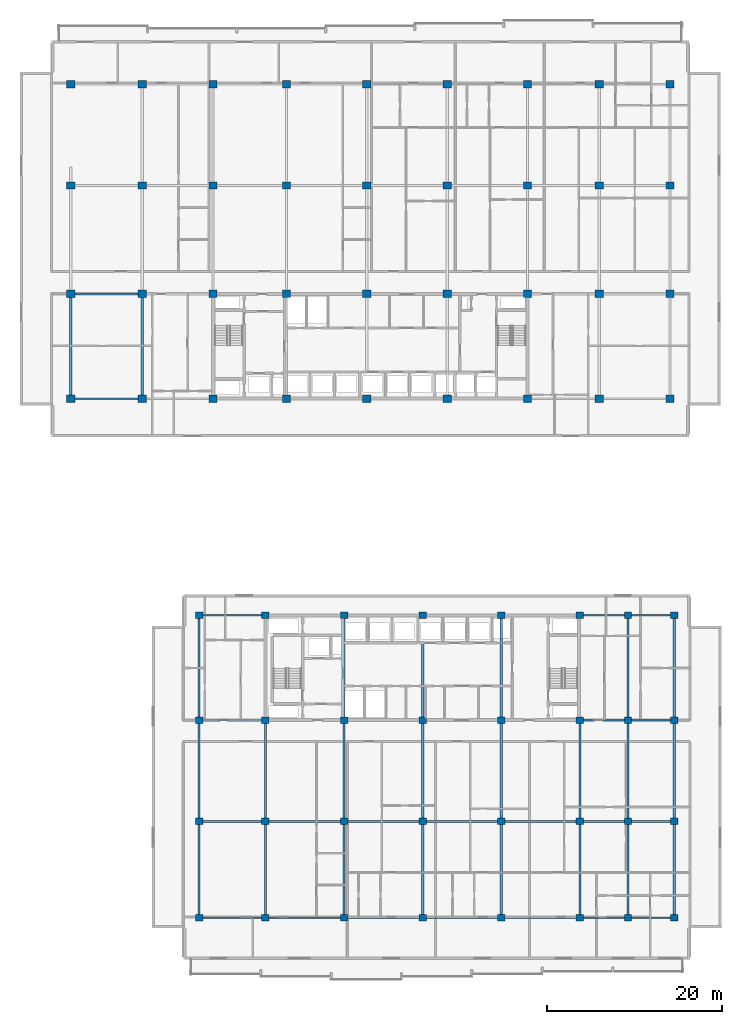
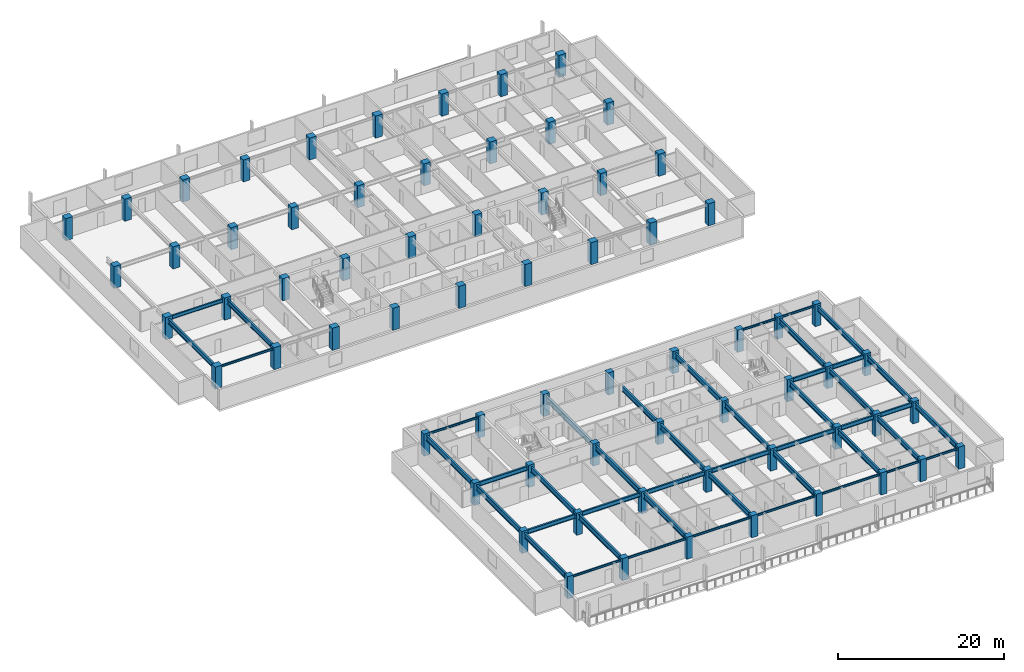
# One storey, part 1 of 21: 68 columns, 46 beams.
"""IFC4 building model written with IfcOpenShell, lengths in metres."""

import ifcopenshell
import ifcopenshell.guid

model = None  # the IFC model being written
_history = None  # IfcOwnerHistory: only IFC2X3 demands one
_inside = {}  # id of a spatial element -> (the spatial element, [elements in it])
_under = {}  # id of a project, library or spatial element -> (it, [spatial elements below it])
_declared = {}  # id of a project -> (the project, [libraries it declares])
_typed = {}  # id of a type object -> (the type object, [elements of that type])
_made_of = {}  # id of a material, layer set ... -> (it, [elements and type objects made of it])


def new_model(schema):
    """Start an empty IFC model of exactly this schema.

    Asked for "IFC4X3", IfcOpenShell would pick the latest addendum, in which some entities
    have other attributes; the version numbers below select the first issue.
    IFC2X3 requires an IfcOwnerHistory on every rooted entity: one is made here for all.
    """
    global model, _history
    if schema == "IFC4X3":
        model = ifcopenshell.file(schema_version=(4, 3, 0, 0))
    else:
        model = ifcopenshell.file(schema=schema)
    _inside.clear()
    _under.clear()
    _declared.clear()
    _typed.clear()
    _made_of.clear()
    _history = None
    if model.schema == "IFC2X3":
        org = make("IfcOrganization", Name="unknown")
        user = make(
            "IfcPersonAndOrganization",
            ThePerson=make("IfcPerson", FamilyName="unknown"),
            TheOrganization=org,
        )
        app = make(
            "IfcApplication",
            ApplicationDeveloper=org,
            Version="unknown",
            ApplicationFullName="unknown",
            ApplicationIdentifier="unknown",
        )
        _history = make(
            "IfcOwnerHistory",
            OwningUser=user,
            OwningApplication=app,
            ChangeAction="ADDED",
            CreationDate=0,
        )
    return model


def make(cls, **values):
    """One entity of the class cls with the attributes given. An attribute that is None is left unset."""
    return model.create_entity(
        cls, **{name: value for name, value in values.items() if value is not None}
    )


def rooted(cls, **values):
    """An entity with a GlobalId (a new one), such as an element, a storey or a relation."""
    return make(cls, GlobalId=ifcopenshell.guid.new(), OwnerHistory=_history, **values)


def si_unit(unit_type, name, prefix=None):
    """IfcSIUnit, for example si_unit("LENGTHUNIT", "METRE", prefix="MILLI")."""
    return make("IfcSIUnit", UnitType=unit_type, Prefix=prefix, Name=name)


def assignment(units):
    """IfcUnitAssignment: the units of a project."""
    return None if units is None else make("IfcUnitAssignment", Units=units)


def point(xyz):
    """IfcCartesianPoint."""
    return None if xyz is None else make("IfcCartesianPoint", Coordinates=xyz)


def direction(xyz):
    """IfcDirection."""
    return None if xyz is None else make("IfcDirection", DirectionRatios=xyz)


def frame(location, z_axis=None, x_axis=None):
    """IfcAxis2Placement3D, a coordinate frame: its origin and axes. An axis left out is left unset."""
    return make(
        "IfcAxis2Placement3D",
        Location=point(location),
        Axis=direction(z_axis),
        RefDirection=direction(x_axis),
    )


def frame_2d(location, x_axis=None):
    """IfcAxis2Placement2D, a coordinate frame in the plane: its origin and x axis."""
    return make(
        "IfcAxis2Placement2D", Location=point(location), RefDirection=direction(x_axis)
    )


def origin():
    """The frame at (0, 0, 0) with its axes left unset."""
    return frame((0.0, 0.0, 0.0))


def origin_2d():
    """The frame at (0, 0) in the plane with its x axis left unset."""
    return frame_2d((0.0, 0.0))


def place(relative_to, where):
    """IfcLocalPlacement: puts the frame where relative to a parent placement (None: the world)."""
    return make(
        "IfcLocalPlacement", PlacementRelTo=relative_to, RelativePlacement=where
    )


def context(
    kind, dimensions, precision=None, world=None, true_north=None, identifier=None
):
    """IfcGeometricRepresentationContext, for example the 3D "Model" context."""
    return make(
        "IfcGeometricRepresentationContext",
        ContextIdentifier=identifier,
        ContextType=kind,
        CoordinateSpaceDimension=dimensions,
        Precision=precision,
        WorldCoordinateSystem=world,
        TrueNorth=true_north,
    )


def subcontext(parent, identifier, kind, view, scale=None):
    """IfcGeometricRepresentationSubContext, for example "Body" below "Model"."""
    return make(
        "IfcGeometricRepresentationSubContext",
        ContextIdentifier=identifier,
        ContextType=kind,
        ParentContext=parent,
        TargetScale=scale,
        TargetView=view,
    )


def project(units=None, contexts=None):
    """IfcProject with its units and contexts."""
    return rooted(
        "IfcProject",
        Name="project",
        RepresentationContexts=contexts,
        UnitsInContext=assignment(units),
    )


def spatial(cls, under=None, at=None, **own):
    """A site, building, storey or space (cls), placed at a placement, below another one or the project."""
    s = rooted(cls, ObjectPlacement=at, **own)
    if under is not None:
        _under.setdefault(under.id(), (under, []))[1].append(s)
    return s


def profile(cls, at=None, kind="AREA", **sizes):
    """A parametric profile (cls). Its sizes go by their IFC names, for example OverallWidth=200.0."""
    return make(cls, ProfileType=kind, Position=at, **sizes)


def rectangle(**sizes):
    """IfcRectangleProfileDef."""
    return profile("IfcRectangleProfileDef", **sizes)


def i_section(**sizes):
    """IfcIShapeProfileDef."""
    return profile("IfcIShapeProfileDef", **sizes)


def extrude(swept, where, along, depth):
    """IfcExtrudedAreaSolid: the profile swept, set in the frame where, extruded along a direction by depth."""
    return make(
        "IfcExtrudedAreaSolid",
        SweptArea=swept,
        Position=where,
        ExtrudedDirection=direction(along),
        Depth=depth,
    )


def shape(context_of_items, identifier, shape_type, items):
    """IfcShapeRepresentation: the items that make up one representation, for example the "Body"."""
    return make(
        "IfcShapeRepresentation",
        ContextOfItems=context_of_items,
        RepresentationIdentifier=identifier,
        RepresentationType=shape_type,
        Items=items,
    )


def material(Name=None, Category=None):
    """IfcMaterial."""
    return make("IfcMaterial", Name=Name, Category=Category)


def material_profile(
    of_material, cross_section, Name=None, Category=None, Priority=None
):
    """IfcMaterialProfile: a cross section and its material."""
    return make(
        "IfcMaterialProfile",
        Name=Name,
        Material=of_material,
        Profile=cross_section,
        Priority=Priority,
        Category=Category,
    )


def profile_set(profiles, Name=None, composite=None):
    """IfcMaterialProfileSet."""
    return make(
        "IfcMaterialProfileSet",
        Name=Name,
        MaterialProfiles=profiles,
        CompositeProfile=composite,
    )


def made_of(thing, what):
    """Note that an element or type object is made of a material, layer set ...; save() writes the relation."""
    if what is not None:
        _made_of.setdefault(what.id(), (what, []))[1].append(thing)
    return thing


def type_object(cls, material=None, **own):
    """A type object (cls), such as IfcWallType, which elements share."""
    return made_of(rooted(cls, **own), material)


def element(
    cls,
    number,
    at=None,
    inside=None,
    cuts=None,
    type_object=None,
    material=None,
    context=None,
    identifier="Body",
    shape_type=None,
    held_by="IfcProductDefinitionShape",
    body=None,
    shapes=None,
    **own,
):
    """One element of the class cls, such as IfcWall. Its Tag is "e" and its number.

    at: its placement. inside: the storey or other place that contains it. cuts: it is an
    opening in that element (IfcRelVoidsElement). A single representation is given by context,
    identifier, shape_type and body (its items); several are given by shapes. held_by: the class
    of the entity that holds the representations. save() writes the other relations.
    """
    e = rooted(cls, Tag="e%d" % number, ObjectPlacement=at, **own)
    if body is not None:
        shapes = [shape(context, identifier, shape_type, body)]
    if shapes is not None:
        e.Representation = make(held_by, Representations=shapes)
    if inside is not None:
        _inside.setdefault(inside.id(), (inside, []))[1].append(e)
    if cuts is not None:
        rooted(
            "IfcRelVoidsElement", RelatingBuildingElement=cuts, RelatedOpeningElement=e
        )
    if type_object is not None:
        _typed.setdefault(type_object.id(), (type_object, []))[1].append(e)
    return made_of(e, material)


def aggregate(whole, parts):
    """IfcRelAggregates: a whole, such as a stair, and the parts it consists of."""
    return rooted("IfcRelAggregates", RelatingObject=whole, RelatedObjects=parts)


def save(model, path):
    """Write the relations noted so far, then the file.

    IfcRelAggregates (storeys below a building ...), IfcRelContainedInSpatialStructure (elements
    in a storey), IfcRelDefinesByType, IfcRelAssociatesMaterial and IfcRelDeclares: one each for
    every whole, place, type object, material and project.
    """
    for whole, parts in _under.values():
        aggregate(whole, parts)
    for where, things in _inside.values():
        rooted(
            "IfcRelContainedInSpatialStructure",
            RelatedElements=things,
            RelatingStructure=where,
        )
    for kind, things in _typed.values():
        rooted("IfcRelDefinesByType", RelatedObjects=things, RelatingType=kind)
    for what, things in _made_of.values():
        rooted("IfcRelAssociatesMaterial", RelatedObjects=things, RelatingMaterial=what)
    for by, libraries in _declared.values():
        rooted("IfcRelDeclares", RelatingContext=by, RelatedDefinitions=libraries)
    model.write(path)


model = new_model("IFC4")

# Units and contexts
model_context = context("Model", 3, precision=1e-05, world=origin(), true_north=direction((0.0, 1.0)))
body_context = subcontext(model_context, "Body", "Model", "MODEL_VIEW")
ifc_project = project(units=[si_unit("LENGTHUNIT", "METRE"), si_unit("AREAUNIT", "SQUARE_METRE"), si_unit("VOLUMEUNIT", "CUBIC_METRE"), si_unit("PLANEANGLEUNIT", "RADIAN"), si_unit("MASSUNIT", "GRAM", prefix="KILO")], contexts=[model_context])

# Site, building, storey
site_placement = place(None, origin())
site = spatial("IfcSite", under=ifc_project, at=site_placement, CompositionType="ELEMENT")
building_placement = place(site_placement, origin())
building = spatial("IfcBuilding", under=site, at=building_placement, Name="Korimba Cascade Residences", CompositionType="ELEMENT")
storey_placement = place(building_placement, frame((0.0, 0.0, 97.050048828125)))
storey = spatial("IfcBuildingStorey", under=building, at=storey_placement, Name="L27", CompositionType="ELEMENT", Elevation=97.050048828125)

# Columns
ifc_material_1 = material(Name="Concrete C65/80", Category="concrete")
ifc_material_profile_1 = material_profile(ifc_material_1, rectangle(XDim=0.85009765625, YDim=0.75, at=origin_2d()), Name="Concrete C65/80")
ifc_profile_set_1 = profile_set([ifc_material_profile_1], Name="Concrete C65/80")
column_type_1 = type_object("IfcColumnType", Name="COL-RC-850", PredefinedType="COLUMN", material=ifc_profile_set_1)
for number, where, z_axis, x_axis, name in (
    (1, (74.5, -4.199951171875, 0.0), (0.0, 0.0, 1.0), (1.0, 0.0, 0.0), "L27 Tower 2 Column 1.1"),
    (2, (74.5, 6.800048828125, 0.0), (0.0, 0.0, 1.0), (1.0, 0.0, 0.0), "L27 Tower 2 Column 1.2"),
    (3, (74.5, 18.39990234375, 0.0), (0.0, 0.0, 1.0), (1.0, 0.0, 0.0), "L27 Tower 2 Column 1.3"),
    (4, (74.5, 30.39990234375, 0.0), (0.0, 0.0, 1.0), (1.0, 0.0, 0.0), "L27 Tower 2 Column 1.4"),
    (5, (82.10009765625, -4.199951171875, 0.0), (0.0, 0.0, 1.0), (1.0, 0.0, 0.0), "L27 Tower 2 Column 2.1"),
    (6, (82.10009765625, 6.800048828125, 0.0), (0.0, 0.0, 1.0), (1.0, 0.0, 0.0), "L27 Tower 2 Column 2.2"),
    (7, (82.10009765625, 18.39990234375, 0.0), (0.0, 0.0, 1.0), (1.0, 0.0, 0.0), "L27 Tower 2 Column 2.3"),
    (8, (82.10009765625, 30.39990234375, 0.0), (0.0, 0.0, 1.0), (1.0, 0.0, 0.0), "L27 Tower 2 Column 2.4"),
    (9, (91.10009765625, -4.199951171875, 0.0), (0.0, 0.0, 1.0), (1.0, 0.0, 0.0), "L27 Tower 2 Column 3.1"),
    (10, (91.10009765625, 6.800048828125, 0.0), (0.0, 0.0, 1.0), (1.0, 0.0, 0.0), "L27 Tower 2 Column 3.2"),
    (11, (91.10009765625, 18.39990234375, 0.0), (0.0, 0.0, 1.0), (1.0, 0.0, 0.0), "L27 Tower 2 Column 3.3"),
    (12, (91.10009765625, 30.39990234375, 0.0), (0.0, 0.0, 1.0), (1.0, 0.0, 0.0), "L27 Tower 2 Column 3.4"),
    (13, (100.10009765625, -4.199951171875, 0.0), (0.0, 0.0, 1.0), (1.0, 0.0, 0.0), "L27 Tower 2 Column 4.1"),
    (14, (100.10009765625, 6.800048828125, 0.0), (0.0, 0.0, 1.0), (1.0, 0.0, 0.0), "L27 Tower 2 Column 4.2"),
    (15, (100.10009765625, 18.39990234375, 0.0), (0.0, 0.0, 1.0), (1.0, 0.0, 0.0), "L27 Tower 2 Column 4.3"),
    (16, (100.10009765625, 30.39990234375, 0.0), (0.0, 0.0, 1.0), (1.0, 0.0, 0.0), "L27 Tower 2 Column 4.4"),
    (17, (109.10009765625, -4.199951171875, 0.0), (0.0, 0.0, 1.0), (1.0, 0.0, 0.0), "L27 Tower 2 Column 5.1"),
    (18, (109.10009765625, 6.800048828125, 0.0), (0.0, 0.0, 1.0), (1.0, 0.0, 0.0), "L27 Tower 2 Column 5.2"),
    (19, (109.10009765625, 18.39990234375, 0.0), (0.0, 0.0, 1.0), (1.0, 0.0, 0.0), "L27 Tower 2 Column 5.3"),
    (20, (109.10009765625, 30.39990234375, 0.0), (0.0, 0.0, 1.0), (1.0, 0.0, 0.0), "L27 Tower 2 Column 5.4"),
    (21, (118.10009765625, -4.199951171875, 0.0), (0.0, 0.0, 1.0), (1.0, 0.0, 0.0), "L27 Tower 2 Column 6.1"),
    (22, (118.10009765625, 6.800048828125, 0.0), (0.0, 0.0, 1.0), (1.0, 0.0, 0.0), "L27 Tower 2 Column 6.2"),
    (23, (118.10009765625, 18.39990234375, 0.0), (0.0, 0.0, 1.0), (1.0, 0.0, 0.0), "L27 Tower 2 Column 6.3"),
    (24, (118.10009765625, 30.39990234375, 0.0), (0.0, 0.0, 1.0), (1.0, 0.0, 0.0), "L27 Tower 2 Column 6.4"),
    (25, (123.60009765625, -4.199951171875, 0.0), (0.0, 0.0, 1.0), (1.0, 0.0, 0.0), "L27 Tower 2 Column 7.1"),
    (26, (123.60009765625, 6.800048828125, 0.0), (0.0, 0.0, 1.0), (1.0, 0.0, 0.0), "L27 Tower 2 Column 7.2"),
    (27, (123.60009765625, 18.39990234375, 0.0), (0.0, 0.0, 1.0), (1.0, 0.0, 0.0), "L27 Tower 2 Column 7.3"),
    (28, (123.60009765625, 30.39990234375, 0.0), (0.0, 0.0, 1.0), (1.0, 0.0, 0.0), "L27 Tower 2 Column 7.4"),
    (29, (128.89990234375, -4.199951171875, 0.0), (0.0, 0.0, 1.0), (1.0, 0.0, 0.0), "L27 Tower 2 Column 8.1"),
    (30, (128.89990234375, 6.800048828125, 0.0), (0.0, 0.0, 1.0), (1.0, 0.0, 0.0), "L27 Tower 2 Column 8.2"),
    (31, (128.89990234375, 18.39990234375, 0.0), (0.0, 0.0, 1.0), (1.0, 0.0, 0.0), "L27 Tower 2 Column 8.3"),
    (32, (128.89990234375, 30.39990234375, 0.0), (0.0, 0.0, 1.0), (1.0, 0.0, 0.0), "L27 Tower 2 Column 8.4"),
):
    element("IfcColumn", number, at=place(storey_placement, frame(where, z_axis=z_axis, x_axis=x_axis)), inside=storey, type_object=column_type_1, Name=name, PredefinedType="COLUMN", context=body_context, shape_type="SweptSolid", body=[
        extrude(rectangle(XDim=0.85009765625, YDim=0.75, at=origin_2d()), origin(), (0.0, 0.0, 1.0), 3.25),
    ])
ifc_material_profile_2 = material_profile(ifc_material_1, rectangle(XDim=0.949951171875, YDim=0.85009765625, at=origin_2d()), Name="Concrete C65/80")
ifc_profile_set_2 = profile_set([ifc_material_profile_2], Name="Concrete C65/80")
column_type_2 = type_object("IfcColumnType", Name="COL-RC-950", PredefinedType="COLUMN", material=ifc_profile_set_2)
for number, where, z_axis, x_axis, name in (
    (33, (59.800048828125, 55.199951171875, 0.0), (0.0, 0.0, 1.0), (1.0, 0.0, 0.0), "L27 Tower 1 Column 1.1"),
    (34, (59.800048828125, 67.199951171875, 0.0), (0.0, 0.0, 1.0), (1.0, 0.0, 0.0), "L27 Tower 1 Column 1.2"),
    (35, (59.800048828125, 79.60009765625, 0.0), (0.0, 0.0, 1.0), (1.0, 0.0, 0.0), "L27 Tower 1 Column 1.3"),
    (36, (59.800048828125, 91.199951171875, 0.0), (0.0, 0.0, 1.0), (1.0, 0.0, 0.0), "L27 Tower 1 Column 1.4"),
    (37, (68.0, 55.199951171875, 0.0), (0.0, 0.0, 1.0), (1.0, 0.0, 0.0), "L27 Tower 1 Column 2.1"),
    (38, (68.0, 67.199951171875, 0.0), (0.0, 0.0, 1.0), (1.0, 0.0, 0.0), "L27 Tower 1 Column 2.2"),
    (39, (68.0, 79.60009765625, 0.0), (0.0, 0.0, 1.0), (1.0, 0.0, 0.0), "L27 Tower 1 Column 2.3"),
    (40, (68.0, 91.199951171875, 0.0), (0.0, 0.0, 1.0), (1.0, 0.0, 0.0), "L27 Tower 1 Column 2.4"),
    (41, (76.10009765625, 55.199951171875, 0.0), (0.0, 0.0, 1.0), (1.0, 0.0, 0.0), "L27 Tower 1 Column 3.1"),
    (42, (76.10009765625, 67.199951171875, 0.0), (0.0, 0.0, 1.0), (1.0, 0.0, 0.0), "L27 Tower 1 Column 3.2"),
    (43, (76.10009765625, 79.60009765625, 0.0), (0.0, 0.0, 1.0), (1.0, 0.0, 0.0), "L27 Tower 1 Column 3.3"),
    (44, (76.10009765625, 91.199951171875, 0.0), (0.0, 0.0, 1.0), (1.0, 0.0, 0.0), "L27 Tower 1 Column 3.4"),
    (45, (84.5, 55.199951171875, 0.0), (0.0, 0.0, 1.0), (1.0, 0.0, 0.0), "L27 Tower 1 Column 4.1"),
    (46, (84.5, 67.199951171875, 0.0), (0.0, 0.0, 1.0), (1.0, 0.0, 0.0), "L27 Tower 1 Column 4.2"),
    (47, (84.5, 79.60009765625, 0.0), (0.0, 0.0, 1.0), (1.0, 0.0, 0.0), "L27 Tower 1 Column 4.3"),
    (48, (84.5, 91.199951171875, 0.0), (0.0, 0.0, 1.0), (1.0, 0.0, 0.0), "L27 Tower 1 Column 4.4"),
    (49, (93.699951171875, 55.199951171875, 0.0), (0.0, 0.0, 1.0), (1.0, 0.0, 0.0), "L27 Tower 1 Column 5.1"),
    (50, (93.699951171875, 67.199951171875, 0.0), (0.0, 0.0, 1.0), (1.0, 0.0, 0.0), "L27 Tower 1 Column 5.2"),
    (51, (93.699951171875, 79.60009765625, 0.0), (0.0, 0.0, 1.0), (1.0, 0.0, 0.0), "L27 Tower 1 Column 5.3"),
    (52, (93.699951171875, 91.199951171875, 0.0), (0.0, 0.0, 1.0), (1.0, 0.0, 0.0), "L27 Tower 1 Column 5.4"),
    (53, (102.89990234375, 55.199951171875, 0.0), (0.0, 0.0, 1.0), (1.0, 0.0, 0.0), "L27 Tower 1 Column 6.1"),
    (54, (102.89990234375, 67.199951171875, 0.0), (0.0, 0.0, 1.0), (1.0, 0.0, 0.0), "L27 Tower 1 Column 6.2"),
    (55, (102.89990234375, 79.60009765625, 0.0), (0.0, 0.0, 1.0), (1.0, 0.0, 0.0), "L27 Tower 1 Column 6.3"),
    (56, (102.89990234375, 91.199951171875, 0.0), (0.0, 0.0, 1.0), (1.0, 0.0, 0.0), "L27 Tower 1 Column 6.4"),
    (57, (112.10009765625, 55.199951171875, 0.0), (0.0, 0.0, 1.0), (1.0, 0.0, 0.0), "L27 Tower 1 Column 7.1"),
    (58, (112.10009765625, 67.199951171875, 0.0), (0.0, 0.0, 1.0), (1.0, 0.0, 0.0), "L27 Tower 1 Column 7.2"),
    (59, (112.10009765625, 79.60009765625, 0.0), (0.0, 0.0, 1.0), (1.0, 0.0, 0.0), "L27 Tower 1 Column 7.3"),
    (60, (112.10009765625, 91.199951171875, 0.0), (0.0, 0.0, 1.0), (1.0, 0.0, 0.0), "L27 Tower 1 Column 7.4"),
    (61, (120.300048828125, 55.199951171875, 0.0), (0.0, 0.0, 1.0), (1.0, 0.0, 0.0), "L27 Tower 1 Column 8.1"),
    (62, (120.300048828125, 67.199951171875, 0.0), (0.0, 0.0, 1.0), (1.0, 0.0, 0.0), "L27 Tower 1 Column 8.2"),
    (63, (120.300048828125, 79.60009765625, 0.0), (0.0, 0.0, 1.0), (1.0, 0.0, 0.0), "L27 Tower 1 Column 8.3"),
    (64, (120.300048828125, 91.199951171875, 0.0), (0.0, 0.0, 1.0), (1.0, 0.0, 0.0), "L27 Tower 1 Column 8.4"),
    (65, (128.39990234375, 55.199951171875, 0.0), (0.0, 0.0, 1.0), (1.0, 0.0, 0.0), "L27 Tower 1 Column 9.1"),
    (66, (128.39990234375, 67.199951171875, 0.0), (0.0, 0.0, 1.0), (1.0, 0.0, 0.0), "L27 Tower 1 Column 9.2"),
    (67, (128.39990234375, 79.60009765625, 0.0), (0.0, 0.0, 1.0), (1.0, 0.0, 0.0), "L27 Tower 1 Column 9.3"),
    (68, (128.39990234375, 91.199951171875, 0.0), (0.0, 0.0, 1.0), (1.0, 0.0, 0.0), "L27 Tower 1 Column 9.4"),
):
    element("IfcColumn", number, at=place(storey_placement, frame(where, z_axis=z_axis, x_axis=x_axis)), inside=storey, type_object=column_type_2, Name=name, PredefinedType="COLUMN", context=body_context, shape_type="SweptSolid", body=[
        extrude(rectangle(XDim=0.949951171875, YDim=0.85009765625, at=origin_2d()), origin(), (0.0, 0.0, 1.0), 3.25),
    ])

# Beams
ifc_material_2 = material(Name="Steel S355", Category="steel")
ifc_material_profile_3 = material_profile(ifc_material_2, i_section(OverallWidth=0.165771484375, OverallDepth=0.306640625, WebThickness=0.006591796875, FlangeThickness=0.01171875, FilletRadius=0.0087890625, at=origin_2d()), Name="Steel S355")
ifc_profile_set_3 = profile_set([ifc_material_profile_3], Name="Steel S355")
beam_type_1 = type_object("IfcBeamType", Name="BM-STL-UB305", PredefinedType="SPANDREL", material=ifc_profile_set_3)
beam_1_placement = place(storey_placement, frame((60.27490234375, 55.199951171875, 2.816650390625), z_axis=(1.0, 0.0, 0.0), x_axis=(0.0, 1.0, 0.0)))
element("IfcBeam", 69, at=beam_1_placement, inside=storey, type_object=beam_type_1, Name="L27 T1 E-W Girder Y1 Bay 1", PredefinedType="SPANDREL", context=body_context, shape_type="SweptSolid", body=[
    extrude(i_section(OverallWidth=0.165771484375, OverallDepth=0.306640625, WebThickness=0.006591796875, FlangeThickness=0.01171875, FilletRadius=0.0087890625, at=origin_2d()), origin(), (0.0, 0.0, 1.0), 7.25),
])
beam_2_placement = place(storey_placement, frame((74.925048828125, -4.199951171875, 2.816650390625), z_axis=(1.0, 0.0, 0.0), x_axis=(0.0, 1.0, 0.0)))
element("IfcBeam", 70, at=beam_2_placement, inside=storey, type_object=beam_type_1, Name="L27 T2 E-W Girder Y1 Bay 1", PredefinedType="SPANDREL", context=body_context, shape_type="SweptSolid", body=[
    extrude(i_section(OverallWidth=0.165771484375, OverallDepth=0.306640625, WebThickness=0.006591796875, FlangeThickness=0.01171875, FilletRadius=0.0087890625, at=origin_2d()), origin(), (0.0, 0.0, 1.0), 6.75),
])
for number, where, z_axis, x_axis, name in (
    (71, (82.52490234375, -4.199951171875, 2.816650390625), (1.0, 0.0, 0.0), (0.0, 1.0, 0.0), "L27 T2 E-W Girder Y1 Bay 2"),
    (72, (91.52490234375, -4.199951171875, 2.816650390625), (1.0, 0.0, 0.0), (0.0, 1.0, 0.0), "L27 T2 E-W Girder Y1 Bay 3"),
    (73, (100.52490234375, -4.199951171875, 2.816650390625), (1.0, 0.0, 0.0), (0.0, 1.0, 0.0), "L27 T2 E-W Girder Y1 Bay 4"),
    (74, (109.52490234375, -4.199951171875, 2.816650390625), (1.0, 0.0, 0.0), (0.0, 1.0, 0.0), "L27 T2 E-W Girder Y1 Bay 5"),
):
    element("IfcBeam", number, at=place(storey_placement, frame(where, z_axis=z_axis, x_axis=x_axis)), inside=storey, type_object=beam_type_1, Name=name, PredefinedType="SPANDREL", context=body_context, shape_type="SweptSolid", body=[
        extrude(i_section(OverallWidth=0.165771484375, OverallDepth=0.306640625, WebThickness=0.006591796875, FlangeThickness=0.01171875, FilletRadius=0.0087890625, at=origin_2d()), origin(), (0.0, 0.0, 1.0), 8.150146484375),
    ])
beam_3_placement = place(storey_placement, frame((118.52490234375, -4.199951171875, 2.816650390625), z_axis=(1.0, 0.0, 0.0), x_axis=(0.0, 1.0, 0.0)))
element("IfcBeam", 75, at=beam_3_placement, inside=storey, type_object=beam_type_1, Name="L27 T2 E-W Girder Y1 Bay 6", PredefinedType="SPANDREL", context=body_context, shape_type="SweptSolid", body=[
    extrude(i_section(OverallWidth=0.165771484375, OverallDepth=0.306640625, WebThickness=0.006591796875, FlangeThickness=0.01171875, FilletRadius=0.0087890625, at=origin_2d()), origin(), (0.0, 0.0, 1.0), 4.650146484375),
])
beam_4_placement = place(storey_placement, frame((124.02490234375, -4.199951171875, 2.816650390625), z_axis=(1.0, 0.0, 0.0), x_axis=(0.0, 1.0, 0.0)))
element("IfcBeam", 76, at=beam_4_placement, inside=storey, type_object=beam_type_1, Name="L27 T2 E-W Girder Y1 Bay 7", PredefinedType="SPANDREL", context=body_context, shape_type="SweptSolid", body=[
    extrude(i_section(OverallWidth=0.165771484375, OverallDepth=0.306640625, WebThickness=0.006591796875, FlangeThickness=0.01171875, FilletRadius=0.0087890625, at=origin_2d()), origin(), (0.0, 0.0, 1.0), 4.4501953125),
])
beam_5_placement = place(storey_placement, frame((74.925048828125, 30.39990234375, 2.816650390625), z_axis=(1.0, 0.0, 0.0), x_axis=(0.0, 1.0, 0.0)))
element("IfcBeam", 77, at=beam_5_placement, inside=storey, type_object=beam_type_1, Name="L27 T2 E-W Girder Y4 Bay 1", PredefinedType="SPANDREL", context=body_context, shape_type="SweptSolid", body=[
    extrude(i_section(OverallWidth=0.165771484375, OverallDepth=0.306640625, WebThickness=0.006591796875, FlangeThickness=0.01171875, FilletRadius=0.0087890625, at=origin_2d()), origin(), (0.0, 0.0, 1.0), 6.75),
])
beam_6_placement = place(storey_placement, frame((118.52490234375, 30.39990234375, 2.816650390625), z_axis=(1.0, 0.0, 0.0), x_axis=(0.0, 1.0, 0.0)))
element("IfcBeam", 78, at=beam_6_placement, inside=storey, type_object=beam_type_1, Name="L27 T2 E-W Girder Y4 Bay 6", PredefinedType="SPANDREL", context=body_context, shape_type="SweptSolid", body=[
    extrude(i_section(OverallWidth=0.165771484375, OverallDepth=0.306640625, WebThickness=0.006591796875, FlangeThickness=0.01171875, FilletRadius=0.0087890625, at=origin_2d()), origin(), (0.0, 0.0, 1.0), 4.650146484375),
])
beam_7_placement = place(storey_placement, frame((124.02490234375, 30.39990234375, 2.816650390625), z_axis=(1.0, 0.0, 0.0), x_axis=(0.0, 1.0, 0.0)))
element("IfcBeam", 79, at=beam_7_placement, inside=storey, type_object=beam_type_1, Name="L27 T2 E-W Girder Y4 Bay 7", PredefinedType="SPANDREL", context=body_context, shape_type="SweptSolid", body=[
    extrude(i_section(OverallWidth=0.165771484375, OverallDepth=0.306640625, WebThickness=0.006591796875, FlangeThickness=0.01171875, FilletRadius=0.0087890625, at=origin_2d()), origin(), (0.0, 0.0, 1.0), 4.4501953125),
])
ifc_material_profile_4 = material_profile(ifc_material_2, i_section(OverallWidth=0.2099609375, OverallDepth=0.53662109375, WebThickness=0.0107421875, FlangeThickness=0.017333984375, FilletRadius=0.0126953125, at=origin_2d()), Name="Steel S355")
ifc_profile_set_4 = profile_set([ifc_material_profile_4], Name="Steel S355")
beam_type_2 = type_object("IfcBeamType", Name="BM-STL-UB533", PredefinedType="BEAM", material=ifc_profile_set_4)
beam_8_placement = place(storey_placement, frame((60.27490234375, 67.199951171875, 2.70166015625), z_axis=(1.0, 0.0, 0.0), x_axis=(0.0, 1.0, 0.0)))
element("IfcBeam", 80, at=beam_8_placement, inside=storey, type_object=beam_type_2, Name="L27 T1 E-W Girder Y2 Bay 1", PredefinedType="BEAM", context=body_context, shape_type="SweptSolid", body=[
    extrude(i_section(OverallWidth=0.2099609375, OverallDepth=0.53662109375, WebThickness=0.0107421875, FlangeThickness=0.017333984375, FilletRadius=0.0126953125, at=origin_2d()), origin(), (0.0, 0.0, 1.0), 7.25),
])
ifc_material_profile_5 = material_profile(ifc_material_2, i_section(OverallWidth=0.22900390625, OverallDepth=0.6123046875, WebThickness=0.011962890625, FlangeThickness=0.01953125, FilletRadius=0.0126953125, at=origin_2d()), Name="Steel S355")
ifc_profile_set_5 = profile_set([ifc_material_profile_5], Name="Steel S355")
beam_type_3 = type_object("IfcBeamType", Name="BM-STL-UB610B", PredefinedType="BEAM", material=ifc_profile_set_5)
beam_9_placement = place(storey_placement, frame((74.925048828125, 6.800048828125, 2.663818359375), z_axis=(1.0, 0.0, 0.0), x_axis=(0.0, 1.0, 0.0)))
element("IfcBeam", 81, at=beam_9_placement, inside=storey, type_object=beam_type_3, Name="L27 T2 E-W Girder Y2 Bay 1", PredefinedType="BEAM", context=body_context, shape_type="SweptSolid", body=[
    extrude(i_section(OverallWidth=0.22900390625, OverallDepth=0.6123046875, WebThickness=0.011962890625, FlangeThickness=0.01953125, FilletRadius=0.0126953125, at=origin_2d()), origin(), (0.0, 0.0, 1.0), 6.75),
])
for number, where, z_axis, x_axis, name in (
    (82, (82.52490234375, 6.800048828125, 2.663818359375), (1.0, 0.0, 0.0), (0.0, 1.0, 0.0), "L27 T2 E-W Girder Y2 Bay 2"),
    (83, (91.52490234375, 6.800048828125, 2.663818359375), (1.0, 0.0, 0.0), (0.0, 1.0, 0.0), "L27 T2 E-W Girder Y2 Bay 3"),
    (84, (100.52490234375, 6.800048828125, 2.663818359375), (1.0, 0.0, 0.0), (0.0, 1.0, 0.0), "L27 T2 E-W Girder Y2 Bay 4"),
    (85, (109.52490234375, 6.800048828125, 2.663818359375), (1.0, 0.0, 0.0), (0.0, 1.0, 0.0), "L27 T2 E-W Girder Y2 Bay 5"),
):
    element("IfcBeam", number, at=place(storey_placement, frame(where, z_axis=z_axis, x_axis=x_axis)), inside=storey, type_object=beam_type_3, Name=name, PredefinedType="BEAM", context=body_context, shape_type="SweptSolid", body=[
        extrude(i_section(OverallWidth=0.22900390625, OverallDepth=0.6123046875, WebThickness=0.011962890625, FlangeThickness=0.01953125, FilletRadius=0.0126953125, at=origin_2d()), origin(), (0.0, 0.0, 1.0), 8.150146484375),
    ])
beam_10_placement = place(storey_placement, frame((118.52490234375, 6.800048828125, 2.663818359375), z_axis=(1.0, 0.0, 0.0), x_axis=(0.0, 1.0, 0.0)))
element("IfcBeam", 86, at=beam_10_placement, inside=storey, type_object=beam_type_3, Name="L27 T2 E-W Girder Y2 Bay 6", PredefinedType="BEAM", context=body_context, shape_type="SweptSolid", body=[
    extrude(i_section(OverallWidth=0.22900390625, OverallDepth=0.6123046875, WebThickness=0.011962890625, FlangeThickness=0.01953125, FilletRadius=0.0126953125, at=origin_2d()), origin(), (0.0, 0.0, 1.0), 4.650146484375),
])
beam_11_placement = place(storey_placement, frame((124.02490234375, 6.800048828125, 2.663818359375), z_axis=(1.0, 0.0, 0.0), x_axis=(0.0, 1.0, 0.0)))
element("IfcBeam", 87, at=beam_11_placement, inside=storey, type_object=beam_type_3, Name="L27 T2 E-W Girder Y2 Bay 7", PredefinedType="BEAM", context=body_context, shape_type="SweptSolid", body=[
    extrude(i_section(OverallWidth=0.22900390625, OverallDepth=0.6123046875, WebThickness=0.011962890625, FlangeThickness=0.01953125, FilletRadius=0.0126953125, at=origin_2d()), origin(), (0.0, 0.0, 1.0), 4.4501953125),
])
beam_12_placement = place(storey_placement, frame((74.925048828125, 18.39990234375, 2.663818359375), z_axis=(1.0, 0.0, 0.0), x_axis=(0.0, 1.0, 0.0)))
element("IfcBeam", 88, at=beam_12_placement, inside=storey, type_object=beam_type_3, Name="L27 T2 E-W Girder Y3 Bay 1", PredefinedType="BEAM", context=body_context, shape_type="SweptSolid", body=[
    extrude(i_section(OverallWidth=0.22900390625, OverallDepth=0.6123046875, WebThickness=0.011962890625, FlangeThickness=0.01953125, FilletRadius=0.0126953125, at=origin_2d()), origin(), (0.0, 0.0, 1.0), 6.75),
])
beam_13_placement = place(storey_placement, frame((118.52490234375, 18.39990234375, 2.663818359375), z_axis=(1.0, 0.0, 0.0), x_axis=(0.0, 1.0, 0.0)))
element("IfcBeam", 89, at=beam_13_placement, inside=storey, type_object=beam_type_3, Name="L27 T2 E-W Girder Y3 Bay 6", PredefinedType="BEAM", context=body_context, shape_type="SweptSolid", body=[
    extrude(i_section(OverallWidth=0.22900390625, OverallDepth=0.6123046875, WebThickness=0.011962890625, FlangeThickness=0.01953125, FilletRadius=0.0126953125, at=origin_2d()), origin(), (0.0, 0.0, 1.0), 4.650146484375),
])
beam_14_placement = place(storey_placement, frame((124.02490234375, 18.39990234375, 2.663818359375), z_axis=(1.0, 0.0, 0.0), x_axis=(0.0, 1.0, 0.0)))
element("IfcBeam", 90, at=beam_14_placement, inside=storey, type_object=beam_type_3, Name="L27 T2 E-W Girder Y3 Bay 7", PredefinedType="BEAM", context=body_context, shape_type="SweptSolid", body=[
    extrude(i_section(OverallWidth=0.22900390625, OverallDepth=0.6123046875, WebThickness=0.011962890625, FlangeThickness=0.01953125, FilletRadius=0.0126953125, at=origin_2d()), origin(), (0.0, 0.0, 1.0), 4.4501953125),
])
ifc_material_profile_6 = material_profile(ifc_material_2, i_section(OverallWidth=0.255859375, OverallDepth=0.69287109375, WebThickness=0.014404296875, FlangeThickness=0.023681640625, FilletRadius=0.01513671875, at=origin_2d()), Name="Steel S355")
ifc_profile_set_6 = profile_set([ifc_material_profile_6], Name="Steel S355")
beam_type_4 = type_object("IfcBeamType", Name="BM-STL-UB686", PredefinedType="BEAM", material=ifc_profile_set_6)
for number, where, z_axis, x_axis, name in (
    (91, (59.800048828125, 55.625, 2.62353515625), (0.0, 1.0, 0.0), (-1.0, 0.0, 0.0), "L27 T1 N-S Girder X1 Seg 1"),
    (92, (68.0, 55.625, 2.62353515625), (0.0, 1.0, 0.0), (-1.0, 0.0, 0.0), "L27 T1 N-S Girder X2 Seg 1"),
):
    element("IfcBeam", number, at=place(storey_placement, frame(where, z_axis=z_axis, x_axis=x_axis)), inside=storey, type_object=beam_type_4, Name=name, PredefinedType="BEAM", context=body_context, shape_type="SweptSolid", body=[
        extrude(i_section(OverallWidth=0.255859375, OverallDepth=0.69287109375, WebThickness=0.014404296875, FlangeThickness=0.023681640625, FilletRadius=0.01513671875, at=origin_2d()), origin(), (0.0, 0.0, 1.0), 11.14990234375),
    ])
ifc_material_profile_7 = material_profile(ifc_material_2, i_section(OverallWidth=0.26806640625, OverallDepth=0.769775390625, WebThickness=0.015625, FlangeThickness=0.025390625, FilletRadius=0.0166015625, at=origin_2d()), Name="Steel S355")
ifc_profile_set_7 = profile_set([ifc_material_profile_7], Name="Steel S355")
beam_type_5 = type_object("IfcBeamType", Name="BM-STL-UB762", PredefinedType="BEAM", material=ifc_profile_set_7)
beam_15_placement = place(storey_placement, frame((74.5, -3.824951171875, 2.5849609375), z_axis=(0.0, 1.0, 0.0), x_axis=(-1.0, 0.0, 0.0)))
element("IfcBeam", 93, at=beam_15_placement, inside=storey, type_object=beam_type_5, Name="L27 T2 N-S Girder X1 Seg 1", PredefinedType="BEAM", context=body_context, shape_type="SweptSolid", body=[
    extrude(i_section(OverallWidth=0.26806640625, OverallDepth=0.769775390625, WebThickness=0.015625, FlangeThickness=0.025390625, FilletRadius=0.0166015625, at=origin_2d()), origin(), (0.0, 0.0, 1.0), 10.25),
])
beam_16_placement = place(storey_placement, frame((74.5, 7.175048828125, 2.5849609375), z_axis=(0.0, 1.0, 0.0), x_axis=(-1.0, 0.0, 0.0)))
element("IfcBeam", 94, at=beam_16_placement, inside=storey, type_object=beam_type_5, Name="L27 T2 N-S Girder X1 Seg 2", PredefinedType="BEAM", context=body_context, shape_type="SweptSolid", body=[
    extrude(i_section(OverallWidth=0.26806640625, OverallDepth=0.769775390625, WebThickness=0.015625, FlangeThickness=0.025390625, FilletRadius=0.0166015625, at=origin_2d()), origin(), (0.0, 0.0, 1.0), 10.849853515625),
])
beam_17_placement = place(storey_placement, frame((74.5, 18.77490234375, 2.5849609375), z_axis=(0.0, 1.0, 0.0), x_axis=(-1.0, 0.0, 0.0)))
element("IfcBeam", 95, at=beam_17_placement, inside=storey, type_object=beam_type_5, Name="L27 T2 N-S Girder X1 Seg 3", PredefinedType="BEAM", context=body_context, shape_type="SweptSolid", body=[
    extrude(i_section(OverallWidth=0.26806640625, OverallDepth=0.769775390625, WebThickness=0.015625, FlangeThickness=0.025390625, FilletRadius=0.0166015625, at=origin_2d()), origin(), (0.0, 0.0, 1.0), 11.25),
])
beam_18_placement = place(storey_placement, frame((82.10009765625, -3.824951171875, 2.5849609375), z_axis=(0.0, 1.0, 0.0), x_axis=(-1.0, 0.0, 0.0)))
element("IfcBeam", 96, at=beam_18_placement, inside=storey, type_object=beam_type_5, Name="L27 T2 N-S Girder X2 Seg 1", PredefinedType="BEAM", context=body_context, shape_type="SweptSolid", body=[
    extrude(i_section(OverallWidth=0.26806640625, OverallDepth=0.769775390625, WebThickness=0.015625, FlangeThickness=0.025390625, FilletRadius=0.0166015625, at=origin_2d()), origin(), (0.0, 0.0, 1.0), 10.25),
])
beam_19_placement = place(storey_placement, frame((82.10009765625, 7.175048828125, 2.5849609375), z_axis=(0.0, 1.0, 0.0), x_axis=(-1.0, 0.0, 0.0)))
element("IfcBeam", 97, at=beam_19_placement, inside=storey, type_object=beam_type_5, Name="L27 T2 N-S Girder X2 Seg 2", PredefinedType="BEAM", context=body_context, shape_type="SweptSolid", body=[
    extrude(i_section(OverallWidth=0.26806640625, OverallDepth=0.769775390625, WebThickness=0.015625, FlangeThickness=0.025390625, FilletRadius=0.0166015625, at=origin_2d()), origin(), (0.0, 0.0, 1.0), 10.849853515625),
])
beam_20_placement = place(storey_placement, frame((91.10009765625, -3.824951171875, 2.5849609375), z_axis=(0.0, 1.0, 0.0), x_axis=(-1.0, 0.0, 0.0)))
element("IfcBeam", 98, at=beam_20_placement, inside=storey, type_object=beam_type_5, Name="L27 T2 N-S Girder X3 Seg 1", PredefinedType="BEAM", context=body_context, shape_type="SweptSolid", body=[
    extrude(i_section(OverallWidth=0.26806640625, OverallDepth=0.769775390625, WebThickness=0.015625, FlangeThickness=0.025390625, FilletRadius=0.0166015625, at=origin_2d()), origin(), (0.0, 0.0, 1.0), 10.25),
])
beam_21_placement = place(storey_placement, frame((91.10009765625, 7.175048828125, 2.5849609375), z_axis=(0.0, 1.0, 0.0), x_axis=(-1.0, 0.0, 0.0)))
element("IfcBeam", 99, at=beam_21_placement, inside=storey, type_object=beam_type_5, Name="L27 T2 N-S Girder X3 Seg 2", PredefinedType="BEAM", context=body_context, shape_type="SweptSolid", body=[
    extrude(i_section(OverallWidth=0.26806640625, OverallDepth=0.769775390625, WebThickness=0.015625, FlangeThickness=0.025390625, FilletRadius=0.0166015625, at=origin_2d()), origin(), (0.0, 0.0, 1.0), 10.849853515625),
])
beam_22_placement = place(storey_placement, frame((91.10009765625, 18.77490234375, 2.5849609375), z_axis=(0.0, 1.0, 0.0), x_axis=(-1.0, 0.0, 0.0)))
element("IfcBeam", 100, at=beam_22_placement, inside=storey, type_object=beam_type_5, Name="L27 T2 N-S Girder X3 Seg 3", PredefinedType="BEAM", context=body_context, shape_type="SweptSolid", body=[
    extrude(i_section(OverallWidth=0.26806640625, OverallDepth=0.769775390625, WebThickness=0.015625, FlangeThickness=0.025390625, FilletRadius=0.0166015625, at=origin_2d()), origin(), (0.0, 0.0, 1.0), 11.25),
])
beam_23_placement = place(storey_placement, frame((100.10009765625, -3.824951171875, 2.5849609375), z_axis=(0.0, 1.0, 0.0), x_axis=(-1.0, 0.0, 0.0)))
element("IfcBeam", 101, at=beam_23_placement, inside=storey, type_object=beam_type_5, Name="L27 T2 N-S Girder X4 Seg 1", PredefinedType="BEAM", context=body_context, shape_type="SweptSolid", body=[
    extrude(i_section(OverallWidth=0.26806640625, OverallDepth=0.769775390625, WebThickness=0.015625, FlangeThickness=0.025390625, FilletRadius=0.0166015625, at=origin_2d()), origin(), (0.0, 0.0, 1.0), 10.25),
])
beam_24_placement = place(storey_placement, frame((100.10009765625, 7.175048828125, 2.5849609375), z_axis=(0.0, 1.0, 0.0), x_axis=(-1.0, 0.0, 0.0)))
element("IfcBeam", 102, at=beam_24_placement, inside=storey, type_object=beam_type_5, Name="L27 T2 N-S Girder X4 Seg 2", PredefinedType="BEAM", context=body_context, shape_type="SweptSolid", body=[
    extrude(i_section(OverallWidth=0.26806640625, OverallDepth=0.769775390625, WebThickness=0.015625, FlangeThickness=0.025390625, FilletRadius=0.0166015625, at=origin_2d()), origin(), (0.0, 0.0, 1.0), 10.849853515625),
])
beam_25_placement = place(storey_placement, frame((100.10009765625, 18.77490234375, 2.5849609375), z_axis=(0.0, 1.0, 0.0), x_axis=(-1.0, 0.0, 0.0)))
element("IfcBeam", 103, at=beam_25_placement, inside=storey, type_object=beam_type_5, Name="L27 T2 N-S Girder X4 Seg 3", PredefinedType="BEAM", context=body_context, shape_type="SweptSolid", body=[
    extrude(i_section(OverallWidth=0.26806640625, OverallDepth=0.769775390625, WebThickness=0.015625, FlangeThickness=0.025390625, FilletRadius=0.0166015625, at=origin_2d()), origin(), (0.0, 0.0, 1.0), 8.565185546875),
])
beam_26_placement = place(storey_placement, frame((109.10009765625, -3.824951171875, 2.5849609375), z_axis=(0.0, 1.0, 0.0), x_axis=(-1.0, 0.0, 0.0)))
element("IfcBeam", 104, at=beam_26_placement, inside=storey, type_object=beam_type_5, Name="L27 T2 N-S Girder X5 Seg 1", PredefinedType="BEAM", context=body_context, shape_type="SweptSolid", body=[
    extrude(i_section(OverallWidth=0.26806640625, OverallDepth=0.769775390625, WebThickness=0.015625, FlangeThickness=0.025390625, FilletRadius=0.0166015625, at=origin_2d()), origin(), (0.0, 0.0, 1.0), 10.25),
])
beam_27_placement = place(storey_placement, frame((109.10009765625, 7.175048828125, 2.5849609375), z_axis=(0.0, 1.0, 0.0), x_axis=(-1.0, 0.0, 0.0)))
element("IfcBeam", 105, at=beam_27_placement, inside=storey, type_object=beam_type_5, Name="L27 T2 N-S Girder X5 Seg 2", PredefinedType="BEAM", context=body_context, shape_type="SweptSolid", body=[
    extrude(i_section(OverallWidth=0.26806640625, OverallDepth=0.769775390625, WebThickness=0.015625, FlangeThickness=0.025390625, FilletRadius=0.0166015625, at=origin_2d()), origin(), (0.0, 0.0, 1.0), 10.849853515625),
])
beam_28_placement = place(storey_placement, frame((109.10009765625, 18.77490234375, 2.5849609375), z_axis=(0.0, 1.0, 0.0), x_axis=(-1.0, 0.0, 0.0)))
element("IfcBeam", 106, at=beam_28_placement, inside=storey, type_object=beam_type_5, Name="L27 T2 N-S Girder X5 Seg 3", PredefinedType="BEAM", context=body_context, shape_type="SweptSolid", body=[
    extrude(i_section(OverallWidth=0.26806640625, OverallDepth=0.769775390625, WebThickness=0.015625, FlangeThickness=0.025390625, FilletRadius=0.0166015625, at=origin_2d()), origin(), (0.0, 0.0, 1.0), 11.25),
])
beam_29_placement = place(storey_placement, frame((118.10009765625, -3.824951171875, 2.5849609375), z_axis=(0.0, 1.0, 0.0), x_axis=(-1.0, 0.0, 0.0)))
element("IfcBeam", 107, at=beam_29_placement, inside=storey, type_object=beam_type_5, Name="L27 T2 N-S Girder X6 Seg 1", PredefinedType="BEAM", context=body_context, shape_type="SweptSolid", body=[
    extrude(i_section(OverallWidth=0.26806640625, OverallDepth=0.769775390625, WebThickness=0.015625, FlangeThickness=0.025390625, FilletRadius=0.0166015625, at=origin_2d()), origin(), (0.0, 0.0, 1.0), 10.25),
])
beam_30_placement = place(storey_placement, frame((118.10009765625, 7.175048828125, 2.5849609375), z_axis=(0.0, 1.0, 0.0), x_axis=(-1.0, 0.0, 0.0)))
element("IfcBeam", 108, at=beam_30_placement, inside=storey, type_object=beam_type_5, Name="L27 T2 N-S Girder X6 Seg 2", PredefinedType="BEAM", context=body_context, shape_type="SweptSolid", body=[
    extrude(i_section(OverallWidth=0.26806640625, OverallDepth=0.769775390625, WebThickness=0.015625, FlangeThickness=0.025390625, FilletRadius=0.0166015625, at=origin_2d()), origin(), (0.0, 0.0, 1.0), 10.849853515625),
])
beam_31_placement = place(storey_placement, frame((123.60009765625, -3.824951171875, 2.5849609375), z_axis=(0.0, 1.0, 0.0), x_axis=(-1.0, 0.0, 0.0)))
element("IfcBeam", 109, at=beam_31_placement, inside=storey, type_object=beam_type_5, Name="L27 T2 N-S Girder X7 Seg 1", PredefinedType="BEAM", context=body_context, shape_type="SweptSolid", body=[
    extrude(i_section(OverallWidth=0.26806640625, OverallDepth=0.769775390625, WebThickness=0.015625, FlangeThickness=0.025390625, FilletRadius=0.0166015625, at=origin_2d()), origin(), (0.0, 0.0, 1.0), 10.25),
])
beam_32_placement = place(storey_placement, frame((123.60009765625, 7.175048828125, 2.5849609375), z_axis=(0.0, 1.0, 0.0), x_axis=(-1.0, 0.0, 0.0)))
element("IfcBeam", 110, at=beam_32_placement, inside=storey, type_object=beam_type_5, Name="L27 T2 N-S Girder X7 Seg 2", PredefinedType="BEAM", context=body_context, shape_type="SweptSolid", body=[
    extrude(i_section(OverallWidth=0.26806640625, OverallDepth=0.769775390625, WebThickness=0.015625, FlangeThickness=0.025390625, FilletRadius=0.0166015625, at=origin_2d()), origin(), (0.0, 0.0, 1.0), 10.849853515625),
])
beam_33_placement = place(storey_placement, frame((123.60009765625, 18.77490234375, 2.5849609375), z_axis=(0.0, 1.0, 0.0), x_axis=(-1.0, 0.0, 0.0)))
element("IfcBeam", 111, at=beam_33_placement, inside=storey, type_object=beam_type_5, Name="L27 T2 N-S Girder X7 Seg 3", PredefinedType="BEAM", context=body_context, shape_type="SweptSolid", body=[
    extrude(i_section(OverallWidth=0.26806640625, OverallDepth=0.769775390625, WebThickness=0.015625, FlangeThickness=0.025390625, FilletRadius=0.0166015625, at=origin_2d()), origin(), (0.0, 0.0, 1.0), 11.25),
])
beam_34_placement = place(storey_placement, frame((128.89990234375, -3.824951171875, 2.5849609375), z_axis=(0.0, 1.0, 0.0), x_axis=(-1.0, 0.0, 0.0)))
element("IfcBeam", 112, at=beam_34_placement, inside=storey, type_object=beam_type_5, Name="L27 T2 N-S Girder X8 Seg 1", PredefinedType="BEAM", context=body_context, shape_type="SweptSolid", body=[
    extrude(i_section(OverallWidth=0.26806640625, OverallDepth=0.769775390625, WebThickness=0.015625, FlangeThickness=0.025390625, FilletRadius=0.0166015625, at=origin_2d()), origin(), (0.0, 0.0, 1.0), 10.25),
])
beam_35_placement = place(storey_placement, frame((128.89990234375, 7.175048828125, 2.5849609375), z_axis=(0.0, 1.0, 0.0), x_axis=(-1.0, 0.0, 0.0)))
element("IfcBeam", 113, at=beam_35_placement, inside=storey, type_object=beam_type_5, Name="L27 T2 N-S Girder X8 Seg 2", PredefinedType="BEAM", context=body_context, shape_type="SweptSolid", body=[
    extrude(i_section(OverallWidth=0.26806640625, OverallDepth=0.769775390625, WebThickness=0.015625, FlangeThickness=0.025390625, FilletRadius=0.0166015625, at=origin_2d()), origin(), (0.0, 0.0, 1.0), 10.849853515625),
])
beam_36_placement = place(storey_placement, frame((128.89990234375, 18.77490234375, 2.5849609375), z_axis=(0.0, 1.0, 0.0), x_axis=(-1.0, 0.0, 0.0)))
element("IfcBeam", 114, at=beam_36_placement, inside=storey, type_object=beam_type_5, Name="L27 T2 N-S Girder X8 Seg 3", PredefinedType="BEAM", context=body_context, shape_type="SweptSolid", body=[
    extrude(i_section(OverallWidth=0.26806640625, OverallDepth=0.769775390625, WebThickness=0.015625, FlangeThickness=0.025390625, FilletRadius=0.0166015625, at=origin_2d()), origin(), (0.0, 0.0, 1.0), 11.25),
])

save(model, "model.ifc")
